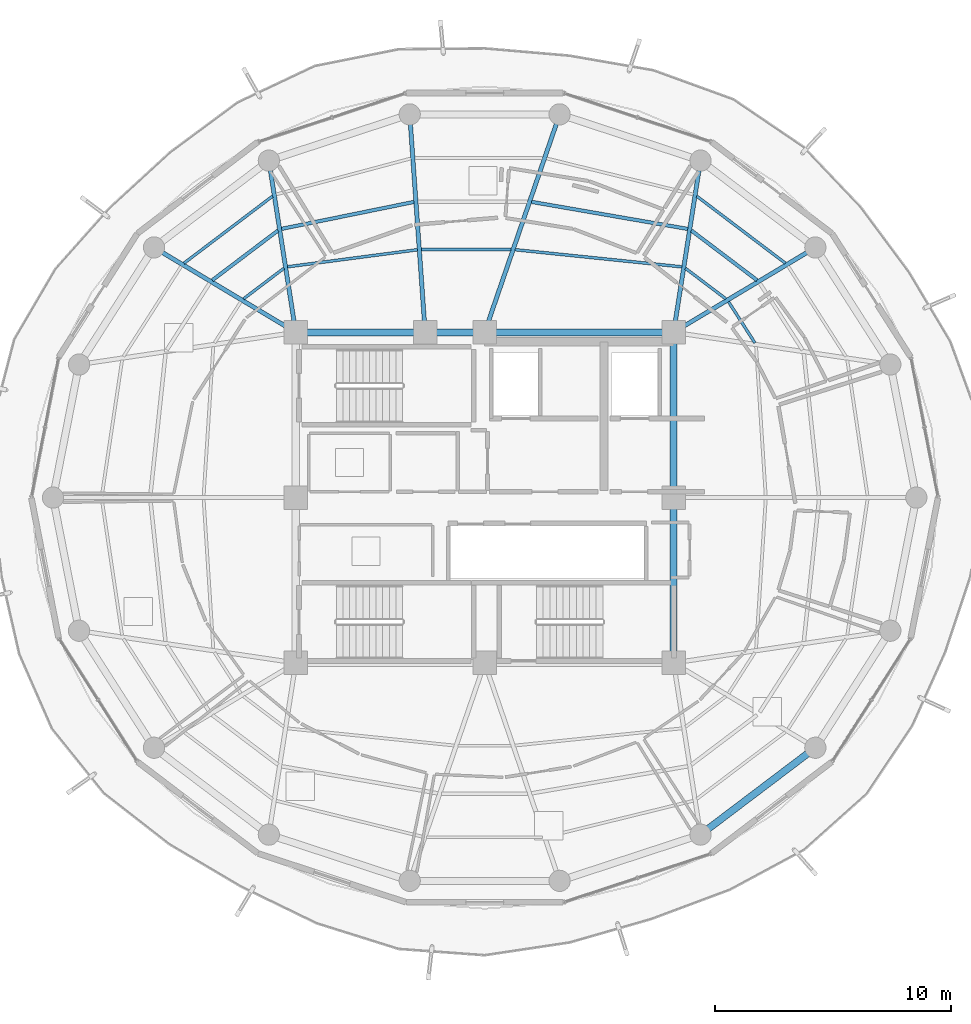
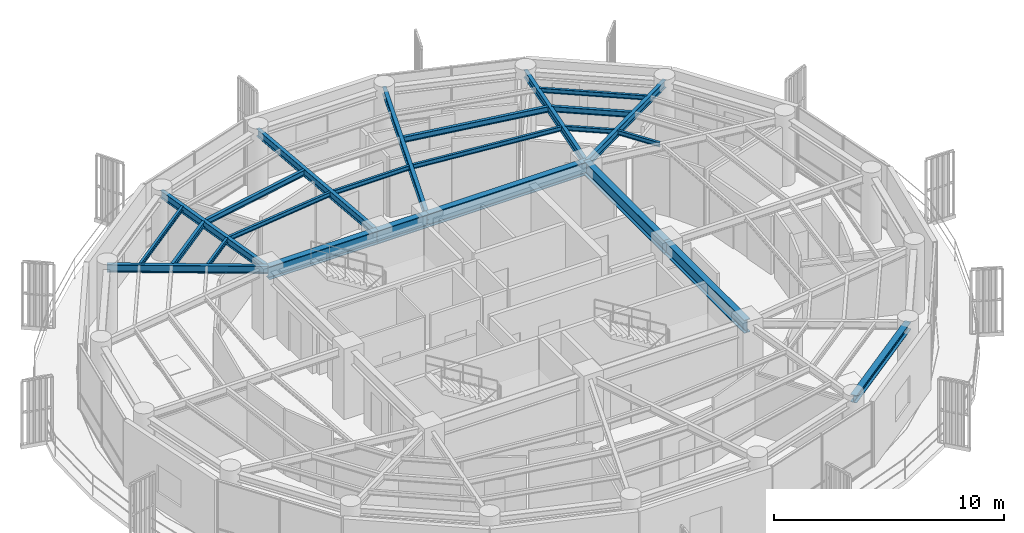
# One storey, part 8 of 22: 24 beams.
"""IFC4 building model written with IfcOpenShell, lengths in metres."""

from ifc_helpers import new_model, si_unit, direction, frame, origin, origin_2d, place, context, subcontext, project, spatial, i_section, extrude, material, material_profile, profile_set, type_object, element, save


model = new_model("IFC4")

# Units and contexts
model_context = context("Model", 3, precision=1e-05, world=origin(), true_north=direction((0.0, 1.0)))
body_context = subcontext(model_context, "Body", "Model", "MODEL_VIEW")
ifc_project = project(units=[si_unit("LENGTHUNIT", "METRE"), si_unit("AREAUNIT", "SQUARE_METRE"), si_unit("VOLUMEUNIT", "CUBIC_METRE"), si_unit("PLANEANGLEUNIT", "RADIAN"), si_unit("MASSUNIT", "GRAM", prefix="KILO")], contexts=[model_context])

# Site, building, storey
site_placement = place(None, origin())
site = spatial("IfcSite", under=ifc_project, at=site_placement, CompositionType="ELEMENT")
building_placement = place(site_placement, origin())
building = spatial("IfcBuilding", under=site, at=building_placement, Name="Kelanora Arch Commons", CompositionType="ELEMENT")
storey_placement = place(building_placement, frame((0.0, 0.0, 267.449951171875)))
storey = spatial("IfcBuildingStorey", under=building, at=storey_placement, Name="L68", CompositionType="ELEMENT", Elevation=267.449951171875)

# Beams
ifc_material = material(Name="Steel S355", Category="steel")
ifc_material_profile_1 = material_profile(ifc_material, i_section(OverallWidth=0.300048828125, OverallDepth=0.699951171875, WebThickness=0.01708984375, FlangeThickness=0.031982421875, FilletRadius=0.027099609375, at=origin_2d()), Name="HEB700")
ifc_profile_set_1 = profile_set([ifc_material_profile_1], Name="Steel S355")
beam_type_1 = type_object("IfcBeamType", Name="BM-CORE-HDR", PredefinedType="BEAM", material=ifc_profile_set_1)
for number, where, z_axis, x_axis, name in (
    (1, (82.0, 51.0, 3.14013671875), (0.0, 1.0, 0.0), (-1.0, 0.0, 0.0), "Core Header Beam 03 L68"),
    (2, (82.0, 58.0, 3.14013671875), (0.0, 1.0, 0.0), (-1.0, 0.0, 0.0), "Core Header Beam 04 L68"),
):
    element("IfcBeam", number, at=place(storey_placement, frame(where, z_axis=z_axis, x_axis=x_axis)), inside=storey, type_object=beam_type_1, Name=name, PredefinedType="BEAM", context=body_context, shape_type="SweptSolid", body=[
        extrude(i_section(OverallWidth=0.300048828125, OverallDepth=0.699951171875, WebThickness=0.01708984375, FlangeThickness=0.031982421875, FilletRadius=0.027099609375, at=origin_2d()), origin(), (0.0, 0.0, 1.0), 7.0),
    ])
beam_1_placement = place(storey_placement, frame((82.0, 65.0, 3.14013671875), z_axis=(-1.0, 0.0, 0.0), x_axis=(0.0, -1.0, 0.0)))
element("IfcBeam", 3, at=beam_1_placement, inside=storey, type_object=beam_type_1, Name="Core Header Beam 05 L68", PredefinedType="BEAM", context=body_context, shape_type="SweptSolid", body=[
    extrude(i_section(OverallWidth=0.300048828125, OverallDepth=0.699951171875, WebThickness=0.01708984375, FlangeThickness=0.031982421875, FilletRadius=0.027099609375, at=origin_2d()), origin(), (0.0, 0.0, 1.0), 8.0),
])
beam_2_placement = place(storey_placement, frame((74.0, 65.0, 3.14013671875), z_axis=(-1.0, 0.0, 0.0), x_axis=(0.0, -1.0, 0.0)))
element("IfcBeam", 4, at=beam_2_placement, inside=storey, type_object=beam_type_1, Name="Core Header Beam 06 L68", PredefinedType="BEAM", context=body_context, shape_type="SweptSolid", body=[
    extrude(i_section(OverallWidth=0.300048828125, OverallDepth=0.699951171875, WebThickness=0.01708984375, FlangeThickness=0.031982421875, FilletRadius=0.027099609375, at=origin_2d()), origin(), (0.0, 0.0, 1.0), 2.52001953125),
])
beam_3_placement = place(storey_placement, frame((71.47998046875, 65.0, 3.14013671875), z_axis=(-1.0, 0.0, 0.0), x_axis=(0.0, -1.0, 0.0)))
element("IfcBeam", 5, at=beam_3_placement, inside=storey, type_object=beam_type_1, Name="Core Header Beam 07 L68", PredefinedType="BEAM", context=body_context, shape_type="SweptSolid", body=[
    extrude(i_section(OverallWidth=0.300048828125, OverallDepth=0.699951171875, WebThickness=0.01708984375, FlangeThickness=0.031982421875, FilletRadius=0.027099609375, at=origin_2d()), origin(), (0.0, 0.0, 1.0), 5.47998046875),
])
ifc_material_profile_2 = material_profile(ifc_material, i_section(OverallWidth=0.14990234375, OverallDepth=0.300048828125, WebThickness=0.007080078125, FlangeThickness=0.0107421875, FilletRadius=0.014892578125, at=origin_2d()), Name="IPE300")
ifc_profile_set_2 = profile_set([ifc_material_profile_2], Name="Steel S355")
beam_type_2 = type_object("IfcBeamType", Name="BM-JST-01", PredefinedType="JOIST", material=ifc_profile_set_2)
beam_4_placement = place(storey_placement, frame((85.5341796875, 67.20703125, 3.340087890625), z_axis=(-0.797499198801, 0.603320004568, 0.0), x_axis=(-0.603320004568, -0.797499198801, 0.0)))
element("IfcBeam", 6, at=beam_4_placement, inside=storey, type_object=beam_type_2, Name="Secondary Chord Joist BJB-04 L68", PredefinedType="JOIST", context=body_context, shape_type="SweptSolid", body=[
    extrude(i_section(OverallWidth=0.14990234375, OverallDepth=0.300048828125, WebThickness=0.007080078125, FlangeThickness=0.0107421875, FilletRadius=0.014892578125, at=origin_2d()), origin(), (0.0, 0.0, 1.0), 3.489013671875),
])
beam_5_placement = place(storey_placement, frame((82.60009765625, 69.377685546875, 3.340087890625), z_axis=(-0.985321568263, 0.170708544357, 0.0), x_axis=(-0.170708544357, -0.985321568263, 0.0)))
element("IfcBeam", 7, at=beam_5_placement, inside=storey, type_object=beam_type_2, Name="Secondary Chord Joist BJB-06 L68", PredefinedType="JOIST", context=body_context, shape_type="SweptSolid", body=[
    extrude(i_section(OverallWidth=0.14990234375, OverallDepth=0.300048828125, WebThickness=0.007080078125, FlangeThickness=0.0107421875, FilletRadius=0.014892578125, at=origin_2d()), origin(), (0.0, 0.0, 1.0), 6.710205078125),
])
beam_6_placement = place(storey_placement, frame((71.004150390625, 70.520751953125, 3.340087890625), z_axis=(-0.979913482255, -0.199423086165, 0.0), x_axis=(0.199423086165, -0.979913482255, 0.0)))
element("IfcBeam", 8, at=beam_6_placement, inside=storey, type_object=beam_type_2, Name="Secondary Chord Joist BJB-10 L68", PredefinedType="JOIST", context=body_context, shape_type="SweptSolid", body=[
    extrude(i_section(OverallWidth=0.14990234375, OverallDepth=0.300048828125, WebThickness=0.007080078125, FlangeThickness=0.0107421875, FilletRadius=0.014892578125, at=origin_2d()), origin(), (0.0, 0.0, 1.0), 5.7197265625),
])
beam_7_placement = place(storey_placement, frame((65.248291015625, 69.31201171875, 3.340087890625), z_axis=(-0.797499198801, -0.603320004568, 0.0), x_axis=(0.603320004568, -0.797499198801, 0.0)))
element("IfcBeam", 9, at=beam_7_placement, inside=storey, type_object=beam_type_2, Name="Secondary Chord Joist BJB-12 L68", PredefinedType="JOIST", context=body_context, shape_type="SweptSolid", body=[
    extrude(i_section(OverallWidth=0.14990234375, OverallDepth=0.300048828125, WebThickness=0.007080078125, FlangeThickness=0.0107421875, FilletRadius=0.014892578125, at=origin_2d()), origin(), (0.0, 0.0, 1.0), 3.489013671875),
])
ifc_material_profile_3 = material_profile(ifc_material, i_section(OverallWidth=0.1201171875, OverallDepth=0.239990234375, WebThickness=0.006103515625, FlangeThickness=0.009765625, FilletRadius=0.014892578125, at=origin_2d()), Name="IPE240")
ifc_profile_set_3 = profile_set([ifc_material_profile_3], Name="Steel S355")
beam_type_3 = type_object("IfcBeamType", Name="BM-JST-02", PredefinedType="JOIST", material=ifc_profile_set_3)
beam_8_placement = place(storey_placement, frame((85.441650390625, 64.553466796875, 3.3701171875), z_axis=(-0.539311810315, 0.842106152011, 0.0), x_axis=(-0.842106152011, -0.539311810315, 0.0)))
element("IfcBeam", 10, at=beam_8_placement, inside=storey, type_object=beam_type_3, Name="Secondary Chord Joist BJA-02 L68", PredefinedType="JOIST", context=body_context, shape_type="SweptSolid", body=[
    extrude(i_section(OverallWidth=0.1201171875, OverallDepth=0.239990234375, WebThickness=0.006103515625, FlangeThickness=0.009765625, FilletRadius=0.014892578125, at=origin_2d()), origin(), (0.0, 0.0, 1.0), 2.06640625),
])
beam_9_placement = place(storey_placement, frame((84.21337890625, 66.416748046875, 3.3701171875), z_axis=(-0.797509883882, 0.603305880222, 0.0), x_axis=(-0.603305880222, -0.797509883882, 0.0)))
element("IfcBeam", 11, at=beam_9_placement, inside=storey, type_object=beam_type_3, Name="Secondary Chord Joist BJA-04 L68", PredefinedType="JOIST", context=body_context, shape_type="SweptSolid", body=[
    extrude(i_section(OverallWidth=0.1201171875, OverallDepth=0.239990234375, WebThickness=0.006103515625, FlangeThickness=0.009765625, FilletRadius=0.014892578125, at=origin_2d()), origin(), (0.0, 0.0, 1.0), 2.147216796875),
])
beam_10_placement = place(storey_placement, frame((86.73486328125, 67.92578125, 3.3701171875), z_axis=(-0.79752302984, 0.60328850219, 0.0), x_axis=(-0.60328850219, -0.79752302984, 0.0)))
element("IfcBeam", 12, at=beam_10_placement, inside=storey, type_object=beam_type_3, Name="Secondary Chord Joist BJC-04 L68", PredefinedType="JOIST", context=body_context, shape_type="SweptSolid", body=[
    extrude(i_section(OverallWidth=0.1201171875, OverallDepth=0.239990234375, WebThickness=0.006103515625, FlangeThickness=0.009765625, FilletRadius=0.014892578125, at=origin_2d()), origin(), (0.0, 0.0, 1.0), 4.70849609375),
])
beam_11_placement = place(storey_placement, frame((82.3486328125, 67.772216796875, 3.3701171875), z_axis=(-0.994746545688, 0.102368500239, 0.0), x_axis=(-0.102368500239, -0.994746545688, 0.0)))
element("IfcBeam", 13, at=beam_11_placement, inside=storey, type_object=beam_type_3, Name="Secondary Chord Joist BJA-06 L68", PredefinedType="JOIST", context=body_context, shape_type="SweptSolid", body=[
    extrude(i_section(OverallWidth=0.1201171875, OverallDepth=0.239990234375, WebThickness=0.006103515625, FlangeThickness=0.009765625, FilletRadius=0.014892578125, at=origin_2d()), origin(), (0.0, 0.0, 1.0), 7.09521484375),
])
beam_12_placement = place(storey_placement, frame((75.12109375, 68.507080078125, 3.3701171875), z_axis=(-1.0, 0.0, 0.0), x_axis=(0.0, -1.0, 0.0)))
element("IfcBeam", 14, at=beam_12_placement, inside=storey, type_object=beam_type_3, Name="Secondary Chord Joist BJA-08 L68", PredefinedType="JOIST", context=body_context, shape_type="SweptSolid", body=[
    extrude(i_section(OverallWidth=0.1201171875, OverallDepth=0.239990234375, WebThickness=0.006103515625, FlangeThickness=0.009765625, FilletRadius=0.014892578125, at=origin_2d()), origin(), (0.0, 0.0, 1.0), 3.8046875),
])
beam_13_placement = place(storey_placement, frame((71.147216796875, 68.49609375, 3.3701171875), z_axis=(-0.991489038745, -0.130190191832, 0.0), x_axis=(0.130190191832, -0.991489038745, 0.0)))
element("IfcBeam", 15, at=beam_13_placement, inside=storey, type_object=beam_type_3, Name="Secondary Chord Joist BJA-10 L68", PredefinedType="JOIST", context=body_context, shape_type="SweptSolid", body=[
    extrude(i_section(OverallWidth=0.1201171875, OverallDepth=0.239990234375, WebThickness=0.006103515625, FlangeThickness=0.009765625, FilletRadius=0.014892578125, at=origin_2d()), origin(), (0.0, 0.0, 1.0), 5.543212890625),
])
beam_14_placement = place(storey_placement, frame((65.4990234375, 67.712158203125, 3.3701171875), z_axis=(-0.797509883882, -0.603305880222, 0.0), x_axis=(0.603305880222, -0.797509883882, 0.0)))
element("IfcBeam", 16, at=beam_14_placement, inside=storey, type_object=beam_type_3, Name="Secondary Chord Joist BJA-12 L68", PredefinedType="JOIST", context=body_context, shape_type="SweptSolid", body=[
    extrude(i_section(OverallWidth=0.1201171875, OverallDepth=0.239990234375, WebThickness=0.006103515625, FlangeThickness=0.009765625, FilletRadius=0.014892578125, at=origin_2d()), origin(), (0.0, 0.0, 1.0), 2.147216796875),
])
beam_15_placement = place(storey_placement, frame((65.020263671875, 70.766357421875, 3.3701171875), z_axis=(-0.79752302984, -0.60328850219, 0.0), x_axis=(0.60328850219, -0.79752302984, 0.0)))
element("IfcBeam", 17, at=beam_15_placement, inside=storey, type_object=beam_type_3, Name="Secondary Chord Joist BJC-12 L68", PredefinedType="JOIST", context=body_context, shape_type="SweptSolid", body=[
    extrude(i_section(OverallWidth=0.1201171875, OverallDepth=0.239990234375, WebThickness=0.006103515625, FlangeThickness=0.009765625, FilletRadius=0.014892578125, at=origin_2d()), origin(), (0.0, 0.0, 1.0), 4.70849609375),
])
ifc_material_profile_4 = material_profile(ifc_material, i_section(OverallWidth=0.179931640625, OverallDepth=0.39990234375, WebThickness=0.008544921875, FlangeThickness=0.013427734375, FilletRadius=0.02099609375, at=origin_2d()), Name="IPE400")
ifc_profile_set_4 = profile_set([ifc_material_profile_4], Name="Steel S355")
beam_type_4 = type_object("IfcBeamType", Name="BM-RAD-Z5", PredefinedType="BEAM", material=ifc_profile_set_4)
beam_16_placement = place(storey_placement, frame((82.0, 65.0, 3.2900390625), z_axis=(0.858062005744, 0.513546097541, 0.0), x_axis=(-0.513546097541, 0.858062005744, 0.0)))
element("IfcBeam", 18, at=beam_16_placement, inside=storey, type_object=beam_type_4, Name="Radial Floor Girder BR-04 L68", PredefinedType="BEAM", context=body_context, shape_type="SweptSolid", body=[
    extrude(i_section(OverallWidth=0.179931640625, OverallDepth=0.39990234375, WebThickness=0.008544921875, FlangeThickness=0.013427734375, FilletRadius=0.02099609375, at=origin_2d()), origin(), (0.0, 0.0, 1.0), 6.99658203125),
])
beam_17_placement = place(storey_placement, frame((82.0, 65.0, 3.2900390625), z_axis=(0.154855424129, 0.987937142544, 0.0), x_axis=(-0.987937142544, 0.154855424129, 0.0)))
element("IfcBeam", 19, at=beam_17_placement, inside=storey, type_object=beam_type_4, Name="Radial Floor Girder BR-06 L68", PredefinedType="BEAM", context=body_context, shape_type="SweptSolid", body=[
    extrude(i_section(OverallWidth=0.179931640625, OverallDepth=0.39990234375, WebThickness=0.008544921875, FlangeThickness=0.013427734375, FilletRadius=0.02099609375, at=origin_2d()), origin(), (0.0, 0.0, 1.0), 7.361083984375),
])
beam_18_placement = place(storey_placement, frame((74.0, 65.0, 3.2900390625), z_axis=(0.325233562807, 0.945633718532, 0.0), x_axis=(-0.945633718532, 0.325233562807, 0.0)))
element("IfcBeam", 20, at=beam_18_placement, inside=storey, type_object=beam_type_4, Name="Radial Floor Girder BR-08 L68", PredefinedType="BEAM", context=body_context, shape_type="SweptSolid", body=[
    extrude(i_section(OverallWidth=0.179931640625, OverallDepth=0.39990234375, WebThickness=0.008544921875, FlangeThickness=0.013427734375, FilletRadius=0.02099609375, at=origin_2d()), origin(), (0.0, 0.0, 1.0), 9.760009765625),
])
beam_19_placement = place(storey_placement, frame((71.47998046875, 65.0, 3.2900390625), z_axis=(-0.070714497892, 0.997496596379, 0.0), x_axis=(-0.997496596379, -0.070714497892, 0.0)))
element("IfcBeam", 21, at=beam_19_placement, inside=storey, type_object=beam_type_4, Name="Radial Floor Girder BR-10 L68", PredefinedType="BEAM", context=body_context, shape_type="SweptSolid", body=[
    extrude(i_section(OverallWidth=0.179931640625, OverallDepth=0.39990234375, WebThickness=0.008544921875, FlangeThickness=0.013427734375, FilletRadius=0.02099609375, at=origin_2d()), origin(), (0.0, 0.0, 1.0), 9.252685546875),
])
beam_20_placement = place(storey_placement, frame((66.0, 65.0, 3.2900390625), z_axis=(-0.154855424129, 0.987937142544, 0.0), x_axis=(-0.987937142544, -0.154855424129, 0.0)))
element("IfcBeam", 22, at=beam_20_placement, inside=storey, type_object=beam_type_4, Name="Radial Floor Girder BR-12 L68", PredefinedType="BEAM", context=body_context, shape_type="SweptSolid", body=[
    extrude(i_section(OverallWidth=0.179931640625, OverallDepth=0.39990234375, WebThickness=0.008544921875, FlangeThickness=0.013427734375, FilletRadius=0.02099609375, at=origin_2d()), origin(), (0.0, 0.0, 1.0), 7.361083984375),
])
beam_21_placement = place(storey_placement, frame((66.0, 65.0, 3.2900390625), z_axis=(-0.858062005744, 0.513546097541, 0.0), x_axis=(-0.513546097541, -0.858062005744, 0.0)))
element("IfcBeam", 23, at=beam_21_placement, inside=storey, type_object=beam_type_4, Name="Radial Floor Girder BR-14 L68", PredefinedType="BEAM", context=body_context, shape_type="SweptSolid", body=[
    extrude(i_section(OverallWidth=0.179931640625, OverallDepth=0.39990234375, WebThickness=0.008544921875, FlangeThickness=0.013427734375, FilletRadius=0.02099609375, at=origin_2d()), origin(), (0.0, 0.0, 1.0), 6.99658203125),
])
ifc_material_profile_5 = material_profile(ifc_material, i_section(OverallWidth=0.300048828125, OverallDepth=0.39990234375, WebThickness=0.013427734375, FlangeThickness=0.02392578125, FilletRadius=0.027099609375, at=origin_2d()), Name="HEB400")
ifc_profile_set_5 = profile_set([ifc_material_profile_5], Name="Steel S355")
beam_type_5 = type_object("IfcBeamType", Name="BM-SPN-Z4", PredefinedType="SPANDREL", material=ifc_profile_set_5)
beam_22_placement = place(storey_placement, frame((83.139892578125, 43.727783203125, 3.2900390625), z_axis=(0.797509460967, 0.603306439273, 0.0), x_axis=(-0.603306439273, 0.797509460967, 0.0)))
element("IfcBeam", 24, at=beam_22_placement, inside=storey, type_object=beam_type_5, Name="Perimeter Spandrel Beam BS-30 L68", PredefinedType="SPANDREL", context=body_context, shape_type="SweptSolid", body=[
    extrude(i_section(OverallWidth=0.300048828125, OverallDepth=0.39990234375, WebThickness=0.013427734375, FlangeThickness=0.02392578125, FilletRadius=0.027099609375, at=origin_2d()), origin(), (0.0, 0.0, 1.0), 6.098388671875),
])

save(model, "model.ifc")
